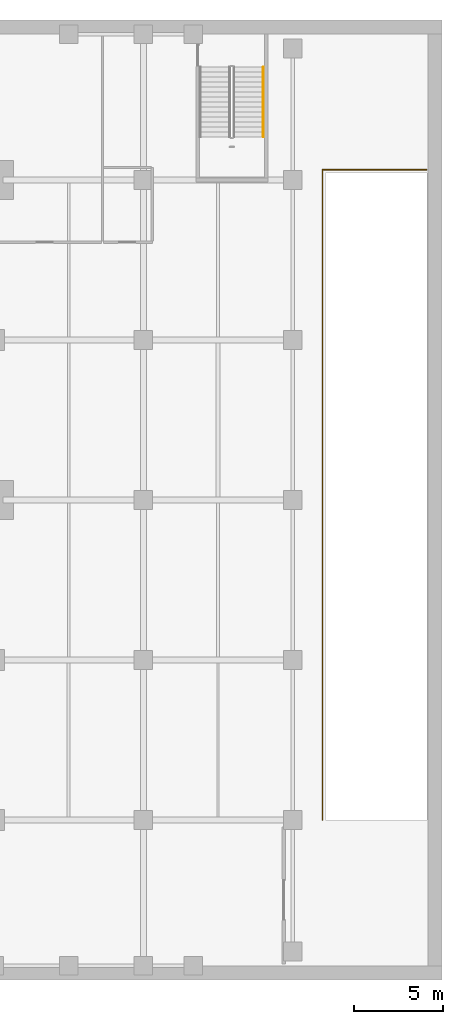
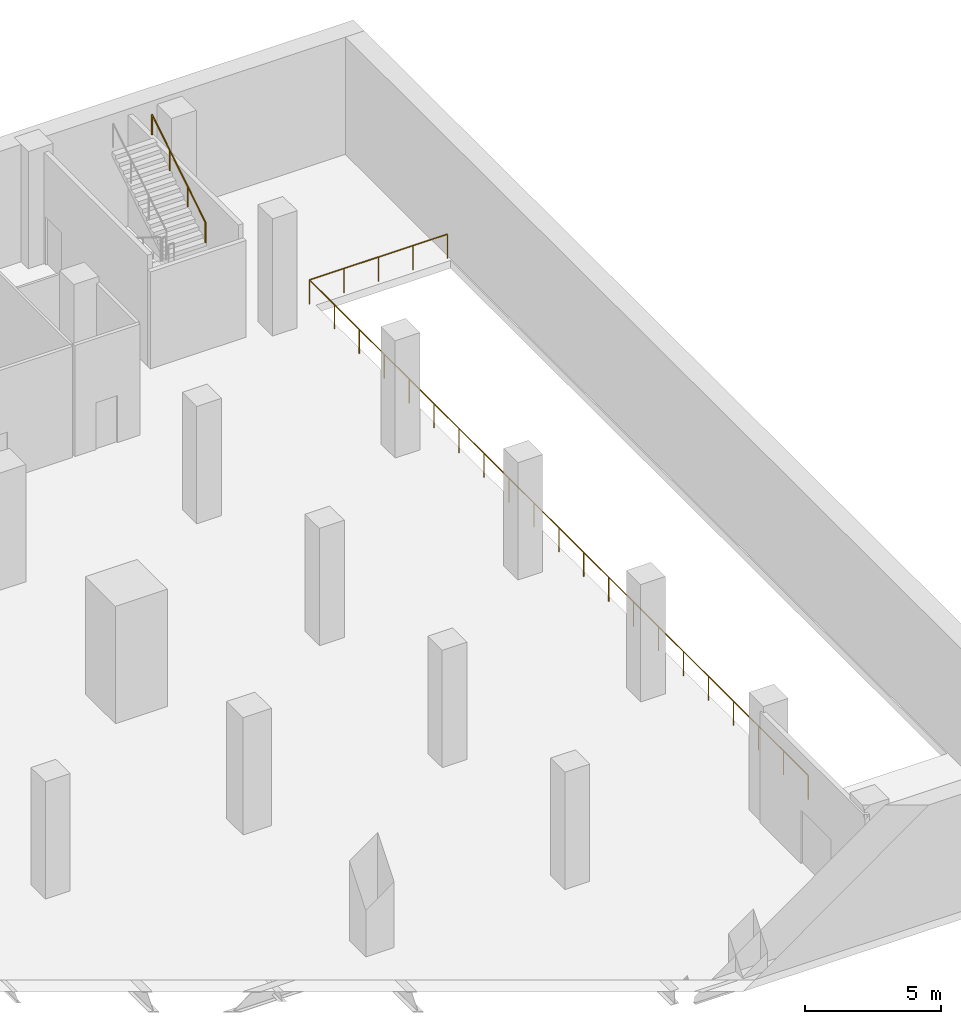
# One storey, part 10 of 10: 2 railings.
"""IFC4 building model written with IfcOpenShell, lengths in metres."""

import ifcopenshell
import ifcopenshell.guid

model = None  # the IFC model being written
_history = None  # IfcOwnerHistory: only IFC2X3 demands one
_inside = {}  # id of a spatial element -> (the spatial element, [elements in it])
_under = {}  # id of a project, library or spatial element -> (it, [spatial elements below it])
_declared = {}  # id of a project -> (the project, [libraries it declares])
_typed = {}  # id of a type object -> (the type object, [elements of that type])
_made_of = {}  # id of a material, layer set ... -> (it, [elements and type objects made of it])


def new_model(schema):
    """Start an empty IFC model of exactly this schema.

    Asked for "IFC4X3", IfcOpenShell would pick the latest addendum, in which some entities
    have other attributes; the version numbers below select the first issue.
    IFC2X3 requires an IfcOwnerHistory on every rooted entity: one is made here for all.
    """
    global model, _history
    if schema == "IFC4X3":
        model = ifcopenshell.file(schema_version=(4, 3, 0, 0))
    else:
        model = ifcopenshell.file(schema=schema)
    _inside.clear()
    _under.clear()
    _declared.clear()
    _typed.clear()
    _made_of.clear()
    _history = None
    if model.schema == "IFC2X3":
        org = make("IfcOrganization", Name="unknown")
        user = make(
            "IfcPersonAndOrganization",
            ThePerson=make("IfcPerson", FamilyName="unknown"),
            TheOrganization=org,
        )
        app = make(
            "IfcApplication",
            ApplicationDeveloper=org,
            Version="unknown",
            ApplicationFullName="unknown",
            ApplicationIdentifier="unknown",
        )
        _history = make(
            "IfcOwnerHistory",
            OwningUser=user,
            OwningApplication=app,
            ChangeAction="ADDED",
            CreationDate=0,
        )
    return model


def make(cls, **values):
    """One entity of the class cls with the attributes given. An attribute that is None is left unset."""
    return model.create_entity(
        cls, **{name: value for name, value in values.items() if value is not None}
    )


def rooted(cls, **values):
    """An entity with a GlobalId (a new one), such as an element, a storey or a relation."""
    return make(cls, GlobalId=ifcopenshell.guid.new(), OwnerHistory=_history, **values)


def si_unit(unit_type, name, prefix=None):
    """IfcSIUnit, for example si_unit("LENGTHUNIT", "METRE", prefix="MILLI")."""
    return make("IfcSIUnit", UnitType=unit_type, Prefix=prefix, Name=name)


def assignment(units):
    """IfcUnitAssignment: the units of a project."""
    return None if units is None else make("IfcUnitAssignment", Units=units)


def point(xyz):
    """IfcCartesianPoint."""
    return None if xyz is None else make("IfcCartesianPoint", Coordinates=xyz)


def direction(xyz):
    """IfcDirection."""
    return None if xyz is None else make("IfcDirection", DirectionRatios=xyz)


def frame(location, z_axis=None, x_axis=None):
    """IfcAxis2Placement3D, a coordinate frame: its origin and axes. An axis left out is left unset."""
    return make(
        "IfcAxis2Placement3D",
        Location=point(location),
        Axis=direction(z_axis),
        RefDirection=direction(x_axis),
    )


def frame_2d(location, x_axis=None):
    """IfcAxis2Placement2D, a coordinate frame in the plane: its origin and x axis."""
    return make(
        "IfcAxis2Placement2D", Location=point(location), RefDirection=direction(x_axis)
    )


def origin():
    """The frame at (0, 0, 0) with its axes left unset."""
    return frame((0.0, 0.0, 0.0))


def origin_2d():
    """The frame at (0, 0) in the plane with its x axis left unset."""
    return frame_2d((0.0, 0.0))


def place(relative_to, where):
    """IfcLocalPlacement: puts the frame where relative to a parent placement (None: the world)."""
    return make(
        "IfcLocalPlacement", PlacementRelTo=relative_to, RelativePlacement=where
    )


def context(
    kind, dimensions, precision=None, world=None, true_north=None, identifier=None
):
    """IfcGeometricRepresentationContext, for example the 3D "Model" context."""
    return make(
        "IfcGeometricRepresentationContext",
        ContextIdentifier=identifier,
        ContextType=kind,
        CoordinateSpaceDimension=dimensions,
        Precision=precision,
        WorldCoordinateSystem=world,
        TrueNorth=true_north,
    )


def subcontext(parent, identifier, kind, view, scale=None):
    """IfcGeometricRepresentationSubContext, for example "Body" below "Model"."""
    return make(
        "IfcGeometricRepresentationSubContext",
        ContextIdentifier=identifier,
        ContextType=kind,
        ParentContext=parent,
        TargetScale=scale,
        TargetView=view,
    )


def project(units=None, contexts=None):
    """IfcProject with its units and contexts."""
    return rooted(
        "IfcProject",
        Name="project",
        RepresentationContexts=contexts,
        UnitsInContext=assignment(units),
    )


def spatial(cls, under=None, at=None, **own):
    """A site, building, storey or space (cls), placed at a placement, below another one or the project."""
    s = rooted(cls, ObjectPlacement=at, **own)
    if under is not None:
        _under.setdefault(under.id(), (under, []))[1].append(s)
    return s


def profile(cls, at=None, kind="AREA", **sizes):
    """A parametric profile (cls). Its sizes go by their IFC names, for example OverallWidth=200.0."""
    return make(cls, ProfileType=kind, Position=at, **sizes)


def circle(**sizes):
    """IfcCircleProfileDef."""
    return profile("IfcCircleProfileDef", **sizes)


def extrude(swept, where, along, depth):
    """IfcExtrudedAreaSolid: the profile swept, set in the frame where, extruded along a direction by depth."""
    return make(
        "IfcExtrudedAreaSolid",
        SweptArea=swept,
        Position=where,
        ExtrudedDirection=direction(along),
        Depth=depth,
    )


def shape(context_of_items, identifier, shape_type, items):
    """IfcShapeRepresentation: the items that make up one representation, for example the "Body"."""
    return make(
        "IfcShapeRepresentation",
        ContextOfItems=context_of_items,
        RepresentationIdentifier=identifier,
        RepresentationType=shape_type,
        Items=items,
    )


def material(Name=None, Category=None):
    """IfcMaterial."""
    return make("IfcMaterial", Name=Name, Category=Category)


def made_of(thing, what):
    """Note that an element or type object is made of a material, layer set ...; save() writes the relation."""
    if what is not None:
        _made_of.setdefault(what.id(), (what, []))[1].append(thing)
    return thing


def type_object(cls, material=None, **own):
    """A type object (cls), such as IfcWallType, which elements share."""
    return made_of(rooted(cls, **own), material)


def element(
    cls,
    number,
    at=None,
    inside=None,
    cuts=None,
    type_object=None,
    material=None,
    context=None,
    identifier="Body",
    shape_type=None,
    held_by="IfcProductDefinitionShape",
    body=None,
    shapes=None,
    **own,
):
    """One element of the class cls, such as IfcWall. Its Tag is "e" and its number.

    at: its placement. inside: the storey or other place that contains it. cuts: it is an
    opening in that element (IfcRelVoidsElement). A single representation is given by context,
    identifier, shape_type and body (its items); several are given by shapes. held_by: the class
    of the entity that holds the representations. save() writes the other relations.
    """
    e = rooted(cls, Tag="e%d" % number, ObjectPlacement=at, **own)
    if body is not None:
        shapes = [shape(context, identifier, shape_type, body)]
    if shapes is not None:
        e.Representation = make(held_by, Representations=shapes)
    if inside is not None:
        _inside.setdefault(inside.id(), (inside, []))[1].append(e)
    if cuts is not None:
        rooted(
            "IfcRelVoidsElement", RelatingBuildingElement=cuts, RelatedOpeningElement=e
        )
    if type_object is not None:
        _typed.setdefault(type_object.id(), (type_object, []))[1].append(e)
    return made_of(e, material)


def aggregate(whole, parts):
    """IfcRelAggregates: a whole, such as a stair, and the parts it consists of."""
    return rooted("IfcRelAggregates", RelatingObject=whole, RelatedObjects=parts)


def save(model, path):
    """Write the relations noted so far, then the file.

    IfcRelAggregates (storeys below a building ...), IfcRelContainedInSpatialStructure (elements
    in a storey), IfcRelDefinesByType, IfcRelAssociatesMaterial and IfcRelDeclares: one each for
    every whole, place, type object, material and project.
    """
    for whole, parts in _under.values():
        aggregate(whole, parts)
    for where, things in _inside.values():
        rooted(
            "IfcRelContainedInSpatialStructure",
            RelatedElements=things,
            RelatingStructure=where,
        )
    for kind, things in _typed.values():
        rooted("IfcRelDefinesByType", RelatedObjects=things, RelatingType=kind)
    for what, things in _made_of.values():
        rooted("IfcRelAssociatesMaterial", RelatedObjects=things, RelatingMaterial=what)
    for by, libraries in _declared.values():
        rooted("IfcRelDeclares", RelatingContext=by, RelatedDefinitions=libraries)
    model.write(path)


model = new_model("IFC4")

# Units and contexts
model_context = context("Model", 3, precision=1e-05, world=origin(), true_north=direction((0.0, 1.0)))
body_context = subcontext(model_context, "Body", "Model", "MODEL_VIEW")
ifc_project = project(units=[si_unit("LENGTHUNIT", "METRE"), si_unit("AREAUNIT", "SQUARE_METRE"), si_unit("VOLUMEUNIT", "CUBIC_METRE"), si_unit("PLANEANGLEUNIT", "RADIAN"), si_unit("MASSUNIT", "GRAM", prefix="KILO")], contexts=[model_context])

# Site, building, storey
site_placement = place(None, origin())
site = spatial("IfcSite", under=ifc_project, at=site_placement, CompositionType="ELEMENT")
building_placement = place(site_placement, origin())
building = spatial("IfcBuilding", under=site, at=building_placement, Name="Maruvema Waterfront Hotel and Observation Tower", CompositionType="ELEMENT")
storey_placement = place(building_placement, frame((0.0, 0.0, -5.25)))
storey = spatial("IfcBuildingStorey", under=building, at=storey_placement, Name="B01", CompositionType="ELEMENT", Elevation=-5.25)

# Railings
ifc_material_1 = material(Name="Brushed stainless steel Grade 316", Category="steel")
railing_type_1 = type_object("IfcRailingType", Name="Ramp Continuous Wall Handrail 920 mm", PredefinedType="HANDRAIL", material=ifc_material_1)
railing_1_placement = place(storey_placement, frame((65.550048828125, 47.429931640625, 2.800048828125)))
element("IfcRailing", 1, at=railing_1_placement, inside=storey, type_object=railing_type_1, Name="B01 ST-05 stair handrail 2", PredefinedType="HANDRAIL", context=body_context, shape_type="SweptSolid", body=[
    extrude(circle(Radius=0.02392578125, at=origin_2d()), frame((0.0, 0.0, 0.89599609375), z_axis=(0.0, 0.848013138694, 0.529975203761), x_axis=(-1.0, 0.0, 0.0)), (0.0, 0.0, 1.0), 4.622802734375),
    extrude(circle(Radius=0.02099609375, at=origin_2d()), origin(), (0.0, 0.0, 1.0), 0.871826171875),
    extrude(circle(Radius=0.02099609375, at=origin_2d()), frame((0.0, 1.306640625, 0.816650390625)), (0.0, 0.0, 1.0), 0.871826171875),
    extrude(circle(Radius=0.02099609375, at=origin_2d()), frame((0.0, 2.613525390625, 1.63330078125)), (0.0, 0.0, 1.0), 0.871826171875),
    extrude(circle(Radius=0.02099609375, at=origin_2d()), frame((0.0, 3.920166015625, 2.449951171875)), (0.0, 0.0, 1.0), 0.871826171875),
])
ifc_material_2 = material(Name="Brushed stainless steel Grade 316", Category="steel")
railing_type_2 = type_object("IfcRailingType", Name="Ramp and Terrace Guard Balustrade 1100 mm", PredefinedType="BALUSTRADE", material=ifc_material_2)
railing_2_placement = place(storey_placement, frame((74.719970703125, 45.580078125, 0.0)))
element("IfcRailing", 2, at=railing_2_placement, inside=storey, type_object=railing_type_2, Name="B01 Vehicle Ramp Well Guard Balustrade", PredefinedType="BALUSTRADE", context=body_context, shape_type="SweptSolid", body=[
    extrude(circle(Radius=0.02392578125, at=origin_2d()), frame((0.0, 0.0, 1.076171875), z_axis=(-1.0, 0.0, 0.0), x_axis=(0.0, -1.0, 0.0)), (0.0, 0.0, 1.0), 5.840087890625),
    extrude(circle(Radius=0.02392578125, at=origin_2d()), frame((-5.840087890625, 0.0, 1.076171875), z_axis=(0.0, -1.0, 0.0), x_axis=(1.0, 0.0, 0.0)), (0.0, 0.0, 1.0), 36.580078125),
    extrude(circle(Radius=0.02099609375, at=origin_2d()), origin(), (0.0, 0.0, 1.0), 1.052001953125),
    extrude(circle(Radius=0.02099609375, at=origin_2d()), frame((-1.4599609375, 0.0, 0.0)), (0.0, 0.0, 1.0), 1.052001953125),
    extrude(circle(Radius=0.02099609375, at=origin_2d()), frame((-2.919921875, 0.0, 0.0)), (0.0, 0.0, 1.0), 1.052001953125),
    extrude(circle(Radius=0.02099609375, at=origin_2d()), frame((-4.380126953125, 0.0, 0.0)), (0.0, 0.0, 1.0), 1.052001953125),
    extrude(circle(Radius=0.02099609375, at=origin_2d()), frame((-5.840087890625, 0.0, 0.0)), (0.0, 0.0, 1.0), 1.052001953125),
    extrude(circle(Radius=0.02099609375, at=origin_2d()), frame((-5.840087890625, -1.8291015625, 0.0)), (0.0, 0.0, 1.0), 1.052001953125),
    extrude(circle(Radius=0.02099609375, at=origin_2d()), frame((-5.840087890625, -3.657958984375, 0.0)), (0.0, 0.0, 1.0), 1.052001953125),
    extrude(circle(Radius=0.02099609375, at=origin_2d()), frame((-5.840087890625, -5.487060546875, 0.0)), (0.0, 0.0, 1.0), 1.052001953125),
    extrude(circle(Radius=0.02099609375, at=origin_2d()), frame((-5.840087890625, -7.31591796875, 0.0)), (0.0, 0.0, 1.0), 1.052001953125),
    extrude(circle(Radius=0.02099609375, at=origin_2d()), frame((-5.840087890625, -9.14501953125, 0.0)), (0.0, 0.0, 1.0), 1.052001953125),
    extrude(circle(Radius=0.02099609375, at=origin_2d()), frame((-5.840087890625, -10.97412109375, 0.0)), (0.0, 0.0, 1.0), 1.052001953125),
    extrude(circle(Radius=0.02099609375, at=origin_2d()), frame((-5.840087890625, -12.802978515625, 0.0)), (0.0, 0.0, 1.0), 1.052001953125),
    extrude(circle(Radius=0.02099609375, at=origin_2d()), frame((-5.840087890625, -14.632080078125, 0.0)), (0.0, 0.0, 1.0), 1.052001953125),
    extrude(circle(Radius=0.02099609375, at=origin_2d()), frame((-5.840087890625, -16.4609375, 0.0)), (0.0, 0.0, 1.0), 1.052001953125),
    extrude(circle(Radius=0.02099609375, at=origin_2d()), frame((-5.840087890625, -18.2900390625, 0.0)), (0.0, 0.0, 1.0), 1.052001953125),
    extrude(circle(Radius=0.02099609375, at=origin_2d()), frame((-5.840087890625, -20.119140625, 0.0)), (0.0, 0.0, 1.0), 1.052001953125),
    extrude(circle(Radius=0.02099609375, at=origin_2d()), frame((-5.840087890625, -21.947998046875, 0.0)), (0.0, 0.0, 1.0), 1.052001953125),
    extrude(circle(Radius=0.02099609375, at=origin_2d()), frame((-5.840087890625, -23.777099609375, 0.0)), (0.0, 0.0, 1.0), 1.052001953125),
    extrude(circle(Radius=0.02099609375, at=origin_2d()), frame((-5.840087890625, -25.60595703125, 0.0)), (0.0, 0.0, 1.0), 1.052001953125),
    extrude(circle(Radius=0.02099609375, at=origin_2d()), frame((-5.840087890625, -27.43505859375, 0.0)), (0.0, 0.0, 1.0), 1.052001953125),
    extrude(circle(Radius=0.02099609375, at=origin_2d()), frame((-5.840087890625, -29.26416015625, 0.0)), (0.0, 0.0, 1.0), 1.052001953125),
    extrude(circle(Radius=0.02099609375, at=origin_2d()), frame((-5.840087890625, -31.093017578125, 0.0)), (0.0, 0.0, 1.0), 1.052001953125),
    extrude(circle(Radius=0.02099609375, at=origin_2d()), frame((-5.840087890625, -32.922119140625, 0.0)), (0.0, 0.0, 1.0), 1.052001953125),
    extrude(circle(Radius=0.02099609375, at=origin_2d()), frame((-5.840087890625, -34.7509765625, 0.0)), (0.0, 0.0, 1.0), 1.052001953125),
    extrude(circle(Radius=0.02099609375, at=origin_2d()), frame((-5.840087890625, -36.580078125, 0.0)), (0.0, 0.0, 1.0), 1.052001953125),
])

save(model, "model.ifc")
